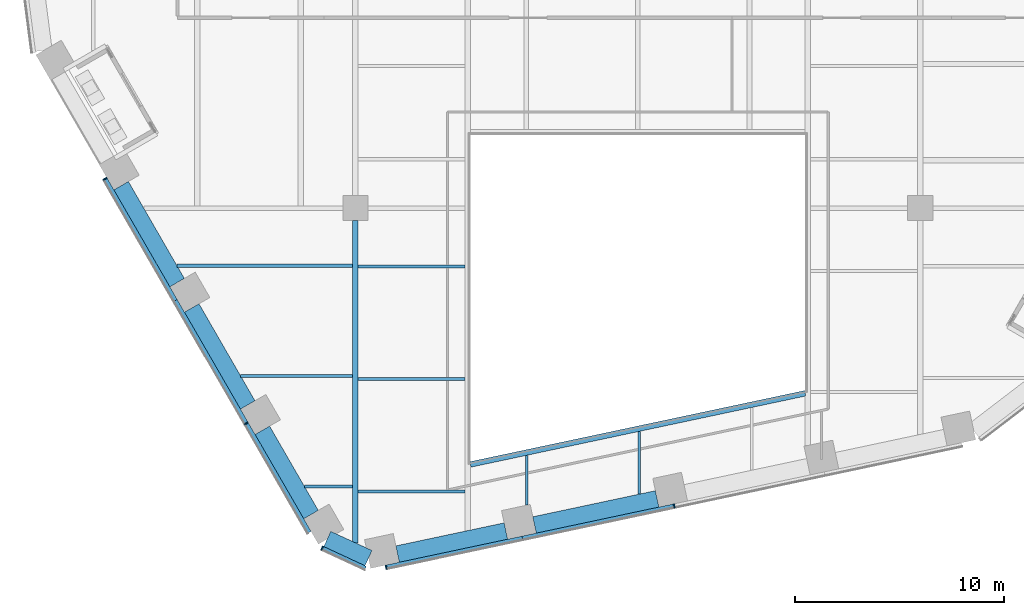
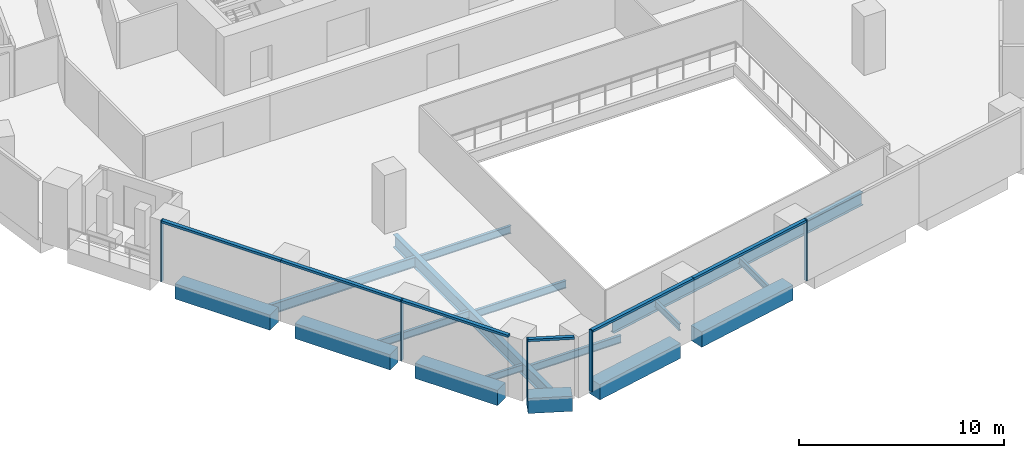
# One storey, part 2 of 24: 16 beams, 11 members, 3 elements without a shape of their own.
"""IFC4 building model written with IfcOpenShell, lengths in metres."""

from ifc_helpers import new_model, si_unit, direction, frame, origin, origin_2d, place, context, subcontext, project, spatial, rectangle, i_section, extrude, material, layer, layer_set, material_profile, profile_set, type_object, element, aggregate, save


model = new_model("IFC4")

# Units and contexts
model_context = context("Model", 3, precision=1e-05, world=origin(), true_north=direction((0.0, 1.0)))
body_context = subcontext(model_context, "Body", "Model", "MODEL_VIEW")
ifc_project = project(units=[si_unit("LENGTHUNIT", "METRE"), si_unit("AREAUNIT", "SQUARE_METRE"), si_unit("VOLUMEUNIT", "CUBIC_METRE"), si_unit("PLANEANGLEUNIT", "RADIAN"), si_unit("MASSUNIT", "GRAM", prefix="KILO")], contexts=[model_context])

# Site, building, storey
site_placement = place(None, origin())
site = spatial("IfcSite", under=ifc_project, at=site_placement, CompositionType="ELEMENT")
building_placement = place(site_placement, origin())
building = spatial("IfcBuilding", under=site, at=building_placement, Name="Isthmus Gate Tower", CompositionType="ELEMENT")
storey_placement = place(building_placement, frame((0.0, 0.0, 159.0)))
storey = spatial("IfcBuildingStorey", under=building, at=storey_placement, Name="L39", CompositionType="ELEMENT", Elevation=159.0)

# Curtain wall, members
ifc_material_1 = material(Name="Aluminium, pale champagne anodised", Category="aluminium")
ifc_layer = layer(ifc_material_1, 0.199951171875)
ifc_layer_set = layer_set([ifc_layer], Name="CW-1 UNITISED CURTAIN WALL 200 DEEP")
curtain_wall_type = type_object("IfcCurtainWallType", Name="CW-1 UNITISED CURTAIN WALL 200 DEEP", PredefinedType="NOTDEFINED", material=ifc_layer_set)
curtain_wall_1_placement = place(storey_placement, origin())
curtain_wall_1 = element("IfcCurtainWall", 1, at=curtain_wall_1_placement, inside=storey, type_object=curtain_wall_type, Name="CW-1 SW L39", PredefinedType="NOTDEFINED")
ifc_material_2 = material(Name="Aluminium, pale champagne anodised", Category="aluminium")
ifc_material_profile_1 = material_profile(ifc_material_2, rectangle(XDim=0.06005859375, YDim=0.199951171875, at=origin_2d()), Name="60x200")
ifc_profile_set_1 = profile_set([ifc_material_profile_1], Name="Aluminium, pale champagne anodised")
member_type_1 = type_object("IfcMemberType", Name="CW-1 MULLION 60 X 200", PredefinedType="MULLION", material=ifc_profile_set_1)
member_1_placement = place(storey_placement, frame((-25.464599609375, -12.09423828125, 0.0), z_axis=(0.0, 0.0, 1.0), x_axis=(0.5, -0.866025403784, 0.0)))
member_1 = element("IfcMember", 2, at=member_1_placement, type_object=member_type_1, Name="CW-1 mullion", PredefinedType="MULLION", context=body_context, shape_type="SweptSolid", body=[
    extrude(rectangle(XDim=0.06005859375, YDim=0.199951171875, at=origin_2d()), origin(), (0.0, 0.0, 1.0), 3.64990234375),
])
member_2_placement = place(storey_placement, frame((-18.71435546875, -23.78564453125, 0.0), z_axis=(0.0, 0.0, 1.0), x_axis=(0.5, -0.866025403784, 0.0)))
member_2 = element("IfcMember", 3, at=member_2_placement, type_object=member_type_1, Name="CW-1 mullion", PredefinedType="MULLION", context=body_context, shape_type="SweptSolid", body=[
    extrude(rectangle(XDim=0.06005859375, YDim=0.199951171875, at=origin_2d()), origin(), (0.0, 0.0, 1.0), 3.64990234375),
])

# Curtain wall, member
curtain_wall_2_placement = place(storey_placement, origin())
curtain_wall_2 = element("IfcCurtainWall", 4, at=curtain_wall_2_placement, inside=storey, type_object=curtain_wall_type, Name="CW-1 SW-S L39", PredefinedType="NOTDEFINED")
member_3_placement = place(storey_placement, frame((-15.091064453125, -29.74755859375, 0.0), z_axis=(0.0, 0.0, 1.0), x_axis=(0.907256261367, -0.420578264073, 0.0)))
member_3 = element("IfcMember", 5, at=member_3_placement, type_object=member_type_1, Name="CW-1 mullion", PredefinedType="MULLION", context=body_context, shape_type="SweptSolid", body=[
    extrude(rectangle(XDim=0.06005859375, YDim=0.199951171875, at=origin_2d()), origin(), (0.0, 0.0, 1.0), 3.64990234375),
])

# Curtain wall, members
curtain_wall_3_placement = place(storey_placement, origin())
curtain_wall_3 = element("IfcCurtainWall", 6, at=curtain_wall_3_placement, inside=storey, type_object=curtain_wall_type, Name="CW-1 S L39", PredefinedType="NOTDEFINED")
member_4_placement = place(storey_placement, frame((-12.03369140625, -30.66015625, 0.0), z_axis=(0.0, 0.0, 1.0), x_axis=(0.978147600734, 0.207911690818, 0.0)))
member_4 = element("IfcMember", 7, at=member_4_placement, type_object=member_type_1, Name="CW-1 mullion", PredefinedType="MULLION", context=body_context, shape_type="SweptSolid", body=[
    extrude(rectangle(XDim=0.06005859375, YDim=0.199951171875, at=origin_2d()), origin(), (0.0, 0.0, 1.0), 3.64990234375),
])
member_5_placement = place(storey_placement, frame((1.740234375, -27.732421875, 0.0), z_axis=(0.0, 0.0, 1.0), x_axis=(0.978147600734, 0.207911690818, 0.0)))
member_5 = element("IfcMember", 8, at=member_5_placement, type_object=member_type_1, Name="CW-1 mullion", PredefinedType="MULLION", context=body_context, shape_type="SweptSolid", body=[
    extrude(rectangle(XDim=0.06005859375, YDim=0.199951171875, at=origin_2d()), origin(), (0.0, 0.0, 1.0), 3.64990234375),
])

# Member
ifc_material_3 = material(Name="Aluminium, pale champagne anodised", Category="aluminium")
ifc_material_profile_2 = material_profile(ifc_material_3, rectangle(XDim=0.199951171875, YDim=0.139892578125, at=origin_2d()), Name="200x140")
ifc_profile_set_2 = profile_set([ifc_material_profile_2], Name="Aluminium, pale champagne anodised")
member_type_2 = type_object("IfcMemberType", Name="CW-1 TRANSOM 200 X 140", PredefinedType="USERDEFINED", material=ifc_profile_set_2)
member_6_placement = place(storey_placement, frame((-25.449462890625, -12.1201171875, 3.580078125), z_axis=(0.499981482168, -0.866036094796, 0.0), x_axis=(0.866036094796, 0.499981482168, 0.0)))
member_6 = element("IfcMember", 9, at=member_6_placement, type_object=member_type_2, Name="CW-1 transom", ObjectType="TRANSOM", PredefinedType="USERDEFINED", context=body_context, shape_type="SweptSolid", body=[
    extrude(rectangle(XDim=0.199951171875, YDim=0.139892578125, at=origin_2d()), origin(), (0.0, 0.0, 1.0), 6.690185546875),
])

member_7_placement = place(storey_placement, frame((-22.1044921875, -17.9140625, 3.580078125), z_axis=(0.499997969693, -0.866026575979, 0.0), x_axis=(0.866026575979, 0.499997969693, 0.0)))
member_7 = element("IfcMember", 10, at=member_7_placement, type_object=member_type_2, Name="CW-1 transom", ObjectType="TRANSOM", PredefinedType="USERDEFINED", context=body_context, shape_type="SweptSolid", body=[
    extrude(rectangle(XDim=0.199951171875, YDim=0.139892578125, at=origin_2d()), origin(), (0.0, 0.0, 1.0), 6.75),
])

member_8_placement = place(storey_placement, frame((-18.699462890625, -23.811767578125, 3.580078125), z_axis=(0.500014106551, -0.86601725921, 0.0), x_axis=(0.86601725921, 0.500014106551, 0.0)))
member_8 = element("IfcMember", 11, at=member_8_placement, type_object=member_type_2, Name="CW-1 transom", ObjectType="TRANSOM", PredefinedType="USERDEFINED", context=body_context, shape_type="SweptSolid", body=[
    extrude(rectangle(XDim=0.199951171875, YDim=0.139892578125, at=origin_2d()), origin(), (0.0, 0.0, 1.0), 5.989990234375),
])

aggregate(curtain_wall_1, [member_1, member_6, member_7, member_2, member_8])

member_9_placement = place(storey_placement, frame((-15.06396484375, -29.76025390625, 3.580078125), z_axis=(0.907246225564, -0.420599912268, 0.0), x_axis=(0.420599912268, 0.907246225564, 0.0)))
member_9 = element("IfcMember", 12, at=member_9_placement, type_object=member_type_2, Name="CW-1 transom", ObjectType="TRANSOM", PredefinedType="USERDEFINED", context=body_context, shape_type="SweptSolid", body=[
    extrude(rectangle(XDim=0.199951171875, YDim=0.139892578125, at=origin_2d()), origin(), (0.0, 0.0, 1.0), 2.258544921875),
])

aggregate(curtain_wall_2, [member_3, member_9])

member_10_placement = place(storey_placement, frame((-12.00439453125, -30.65380859375, 3.580078125), z_axis=(0.97814593552, 0.207919524877, 0.0), x_axis=(-0.207919524877, 0.97814593552, 0.0)))
member_10 = element("IfcMember", 13, at=member_10_placement, type_object=member_type_2, Name="CW-1 transom", ObjectType="TRANSOM", PredefinedType="USERDEFINED", context=body_context, shape_type="SweptSolid", body=[
    extrude(rectangle(XDim=0.199951171875, YDim=0.139892578125, at=origin_2d()), origin(), (0.0, 0.0, 1.0), 6.630859375),
])

member_11_placement = place(storey_placement, frame((-5.5185546875, -29.275146484375, 3.580078125), z_axis=(0.978147683684, 0.207911300568, 0.0), x_axis=(-0.207911300568, 0.978147683684, 0.0)))
member_11 = element("IfcMember", 14, at=member_11_placement, type_object=member_type_2, Name="CW-1 transom", ObjectType="TRANSOM", PredefinedType="USERDEFINED", context=body_context, shape_type="SweptSolid", body=[
    extrude(rectangle(XDim=0.199951171875, YDim=0.139892578125, at=origin_2d()), origin(), (0.0, 0.0, 1.0), 7.390869140625),
])

aggregate(curtain_wall_3, [member_4, member_10, member_11, member_5])

# Beams
ifc_material_4 = material(Name="Concrete f'c 60 MPa", Category="concrete")
ifc_material_profile_3 = material_profile(ifc_material_4, rectangle(XDim=0.800048828125, YDim=0.89990234375, at=origin_2d()), Name="RC 800X900")
ifc_profile_set_3 = profile_set([ifc_material_profile_3], Name="Concrete f'c 60 MPa")
beam_type_1 = type_object("IfcBeamType", Name="RC SPANDREL 800 X 900", PredefinedType="SPANDREL", material=ifc_profile_set_3)
beam_1_placement = place(storey_placement, frame((0.922119140625, -27.39501953125, -0.449951171875), z_axis=(-0.978145798872, -0.20792016773, 0.0), x_axis=(0.20792016773, -0.978145798872, 0.0)))
element("IfcBeam", 15, at=beam_1_placement, inside=storey, type_object=beam_type_1, Name="str-spandrel-L39-13", PredefinedType="SPANDREL", context=body_context, shape_type="SweptSolid", body=[
    extrude(rectangle(XDim=0.800048828125, YDim=0.89990234375, at=origin_2d()), origin(), (0.0, 0.0, 1.0), 5.99072265625),
])
beam_2_placement = place(storey_placement, frame((-6.30712890625, -28.931640625, -0.449951171875), z_axis=(-0.978145479826, -0.207921668653, 0.0), x_axis=(0.207921668653, -0.978145479826, 0.0)))
element("IfcBeam", 16, at=beam_2_placement, inside=storey, type_object=beam_type_1, Name="str-spandrel-L39-14", PredefinedType="SPANDREL", context=body_context, shape_type="SweptSolid", body=[
    extrude(rectangle(XDim=0.800048828125, YDim=0.89990234375, at=origin_2d()), origin(), (0.0, 0.0, 1.0), 5.291015625),
])
beam_3_placement = place(storey_placement, frame((-12.87255859375, -30.224853515625, -0.449951171875), z_axis=(-0.907290744498, 0.420503870314, 0.0), x_axis=(-0.420503870314, -0.907290744498, 0.0)))
element("IfcBeam", 17, at=beam_3_placement, inside=storey, type_object=beam_type_1, Name="str-spandrel-L39-15", PredefinedType="SPANDREL", context=body_context, shape_type="SweptSolid", body=[
    extrude(rectangle(XDim=0.800048828125, YDim=0.89990234375, at=origin_2d()), origin(), (0.0, 0.0, 1.0), 2.173095703125),
])
beam_4_placement = place(storey_placement, frame((-15.621337890625, -28.14306640625, -0.449951171875), z_axis=(-0.499984536904, 0.866034331223, 0.0), x_axis=(-0.866034331223, -0.499984536904, 0.0)))
element("IfcBeam", 18, at=beam_4_placement, inside=storey, type_object=beam_type_1, Name="str-spandrel-L39-16", PredefinedType="SPANDREL", context=body_context, shape_type="SweptSolid", body=[
    extrude(rectangle(XDim=0.800048828125, YDim=0.89990234375, at=origin_2d()), origin(), (0.0, 0.0, 1.0), 4.650146484375),
])
for number, where, z_axis, x_axis, name in (
    (19, (-18.646484375, -22.903564453125, -0.449951171875), (-0.500001594578, 0.866024483152, 0.0), (-0.866024483152, -0.500001594578, 0.0), "str-spandrel-L39-17"),
    (20, (-22.021484375, -17.0576171875, -0.449951171875), (-0.500001594578, 0.866024483152, 0.0), (-0.866024483152, -0.500001594578, 0.0), "str-spandrel-L39-18"),
):
    element("IfcBeam", number, at=place(storey_placement, frame(where, z_axis=z_axis, x_axis=x_axis)), inside=storey, type_object=beam_type_1, Name=name, PredefinedType="SPANDREL", context=body_context, shape_type="SweptSolid", body=[
        extrude(rectangle(XDim=0.800048828125, YDim=0.89990234375, at=origin_2d()), origin(), (0.0, 0.0, 1.0), 5.35009765625),
    ])
ifc_material_5 = material(Name="Structural steel ASTM A992 Gr 50", Category="steel")
ifc_material_profile_4 = material_profile(ifc_material_5, i_section(OverallWidth=0.1396484375, OverallDepth=0.4033203125, WebThickness=0.00634765625, FlangeThickness=0.010986328125, at=origin_2d()), Name="W16X31")
ifc_profile_set_4 = profile_set([ifc_material_profile_4], Name="Structural steel ASTM A992 Gr 50")
beam_type_2 = type_object("IfcBeamType", Name="STEEL FLOOR BEAM W16X31", PredefinedType="JOIST", material=ifc_profile_set_4)
beam_5_placement = place(storey_placement, frame((-15.937744140625, -26.795166015625, -0.3515625), z_axis=(1.0, 0.0, 0.0), x_axis=(0.0, 1.0, 0.0)))
element("IfcBeam", 21, at=beam_5_placement, inside=storey, type_object=beam_type_2, Name="str-beam-L39-04-00", PredefinedType="JOIST", context=body_context, shape_type="SweptSolid", body=[
    extrude(i_section(OverallWidth=0.1396484375, OverallDepth=0.4033203125, WebThickness=0.00634765625, FlangeThickness=0.010986328125, at=origin_2d()), origin(), (0.0, 0.0, 1.0), 2.304443359375),
])
beam_6_placement = place(storey_placement, frame((-5.311279296875, -27.69775390625, -0.3515625), z_axis=(0.0, 1.0, 0.0), x_axis=(-1.0, 0.0, 0.0)))
element("IfcBeam", 22, at=beam_6_placement, inside=storey, type_object=beam_type_2, Name="str-beam-L39-09-00", PredefinedType="JOIST", context=body_context, shape_type="SweptSolid", body=[
    extrude(i_section(OverallWidth=0.1396484375, OverallDepth=0.4033203125, WebThickness=0.00634765625, FlangeThickness=0.010986328125, at=origin_2d()), origin(), (0.0, 0.0, 1.0), 2.385498046875),
])
beam_7_placement = place(storey_placement, frame((0.06591796875, -27.168212890625, -0.3515625), z_axis=(0.0, 1.0, 0.0), x_axis=(-1.0, 0.0, 0.0)))
element("IfcBeam", 23, at=beam_7_placement, inside=storey, type_object=beam_type_2, Name="str-beam-L39-09-01", PredefinedType="JOIST", context=body_context, shape_type="SweptSolid", body=[
    extrude(i_section(OverallWidth=0.1396484375, OverallDepth=0.4033203125, WebThickness=0.00634765625, FlangeThickness=0.010986328125, at=origin_2d()), origin(), (0.0, 0.0, 1.0), 2.9990234375),
])
ifc_material_6 = material(Name="Structural steel ASTM A992 Gr 50", Category="steel")
ifc_material_profile_5 = material_profile(ifc_material_6, i_section(OverallWidth=0.15234375, OverallDepth=0.45068359375, WebThickness=0.0078125, FlangeThickness=0.010986328125, at=origin_2d()), Name="W18X35")
ifc_profile_set_5 = profile_set([ifc_material_profile_5], Name="Structural steel ASTM A992 Gr 50")
beam_type_3 = type_object("IfcBeamType", Name="STEEL FLOOR BEAM W18X35", PredefinedType="JOIST", material=ifc_profile_set_5)
beam_8_placement = place(storey_placement, frame((-18.981689453125, -21.52294921875, -0.37548828125), z_axis=(1.0, 0.0, 0.0), x_axis=(0.0, 1.0, 0.0)))
element("IfcBeam", 24, at=beam_8_placement, inside=storey, type_object=beam_type_3, Name="str-beam-L39-04-01", PredefinedType="JOIST", context=body_context, shape_type="SweptSolid", body=[
    extrude(i_section(OverallWidth=0.15234375, OverallDepth=0.45068359375, WebThickness=0.0078125, FlangeThickness=0.010986328125, at=origin_2d()), origin(), (0.0, 0.0, 1.0), 5.348388671875),
])
for number, where, z_axis, x_axis, name in (
    (25, (-13.36669921875, -27.04736328125, -0.37548828125), (1.0, 0.0, 0.0), (0.0, 1.0, 0.0), "str-beam-L39-05-00"),
    (26, (-13.36669921875, -21.67041015625, -0.37548828125), (1.0, 0.0, 0.0), (0.0, 1.0, 0.0), "str-beam-L39-05-01"),
    (27, (-13.36669921875, -16.293212890625, -0.37548828125), (1.0, 0.0, 0.0), (0.0, 1.0, 0.0), "str-beam-L39-05-02"),
):
    element("IfcBeam", number, at=place(storey_placement, frame(where, z_axis=z_axis, x_axis=x_axis)), inside=storey, type_object=beam_type_3, Name=name, PredefinedType="JOIST", context=body_context, shape_type="SweptSolid", body=[
        extrude(i_section(OverallWidth=0.15234375, OverallDepth=0.45068359375, WebThickness=0.0078125, FlangeThickness=0.010986328125, at=origin_2d()), origin(), (0.0, 0.0, 1.0), 5.10009765625),
    ])
ifc_material_7 = material(Name="Structural steel ASTM A992 Gr 50", Category="steel")
ifc_material_profile_6 = material_profile(ifc_material_7, i_section(OverallWidth=0.177734375, OverallDepth=0.60009765625, WebThickness=0.009521484375, FlangeThickness=0.0126953125, at=origin_2d()), Name="W24X55")
ifc_profile_set_6 = profile_set([ifc_material_profile_6], Name="Structural steel ASTM A992 Gr 50")
beam_type_4 = type_object("IfcBeamType", Name="STEEL FLOOR BEAM W24X55", PredefinedType="JOIST", material=ifc_profile_set_6)
beam_9_placement = place(storey_placement, frame((-22.025634765625, -16.25048828125, -0.449951171875), z_axis=(1.0, 0.0, 0.0), x_axis=(0.0, 1.0, 0.0)))
element("IfcBeam", 28, at=beam_9_placement, inside=storey, type_object=beam_type_4, Name="str-beam-L39-04-02", PredefinedType="JOIST", context=body_context, shape_type="SweptSolid", body=[
    extrude(i_section(OverallWidth=0.177734375, OverallDepth=0.60009765625, WebThickness=0.009521484375, FlangeThickness=0.0126953125, at=origin_2d()), origin(), (0.0, 0.0, 1.0), 8.392333984375),
])
ifc_material_8 = material(Name="Structural steel ASTM A992 Gr 50", Category="steel")
ifc_material_profile_7 = material_profile(ifc_material_8, i_section(OverallWidth=0.2666015625, OverallDepth=0.7587890625, WebThickness=0.014404296875, FlangeThickness=0.01904296875, at=origin_2d()), Name="W30X108")
ifc_profile_set_7 = profile_set([ifc_material_profile_7], Name="Structural steel ASTM A992 Gr 50")
beam_type_5 = type_object("IfcBeamType", Name="STEEL GIRDER W30X108", PredefinedType="BEAM", material=ifc_profile_set_7)
beam_10_placement = place(storey_placement, frame((-13.5, -29.4931640625, -0.529296875), z_axis=(0.0, 1.0, 0.0), x_axis=(-1.0, 0.0, 0.0)))
element("IfcBeam", 29, at=beam_10_placement, inside=storey, type_object=beam_type_5, Name="str-girder-L39-07", PredefinedType="BEAM", context=body_context, shape_type="SweptSolid", body=[
    extrude(i_section(OverallWidth=0.2666015625, OverallDepth=0.7587890625, WebThickness=0.014404296875, FlangeThickness=0.01904296875, at=origin_2d()), origin(), (0.0, 0.0, 1.0), 15.39306640625),
])
ifc_material_9 = material(Name="Structural steel ASTM A992 Gr 50", Category="steel")
ifc_material_profile_8 = material_profile(ifc_material_9, i_section(OverallWidth=0.2666015625, OverallDepth=0.7587890625, WebThickness=0.014404296875, FlangeThickness=0.01904296875, at=origin_2d()), Name="W30X108")
ifc_profile_set_8 = profile_set([ifc_material_profile_8], Name="Structural steel ASTM A992 Gr 50")
beam_type_6 = type_object("IfcBeamType", Name="STEEL TRIMMER W30X108", PredefinedType="BEAM", material=ifc_profile_set_8)
beam_11_placement = place(storey_placement, frame((-8.0, -25.747314453125, -0.529296875), z_axis=(0.978147924985, 0.20791016533, 0.0), x_axis=(-0.20791016533, 0.978147924985, 0.0)))
element("IfcBeam", 30, at=beam_11_placement, inside=storey, type_object=beam_type_6, Name="str-trimmer-L39-03", PredefinedType="BEAM", context=body_context, shape_type="SweptSolid", body=[
    extrude(i_section(OverallWidth=0.2666015625, OverallDepth=0.7587890625, WebThickness=0.014404296875, FlangeThickness=0.01904296875, at=origin_2d()), origin(), (0.0, 0.0, 1.0), 16.357421875),
])

save(model, "model.ifc")
